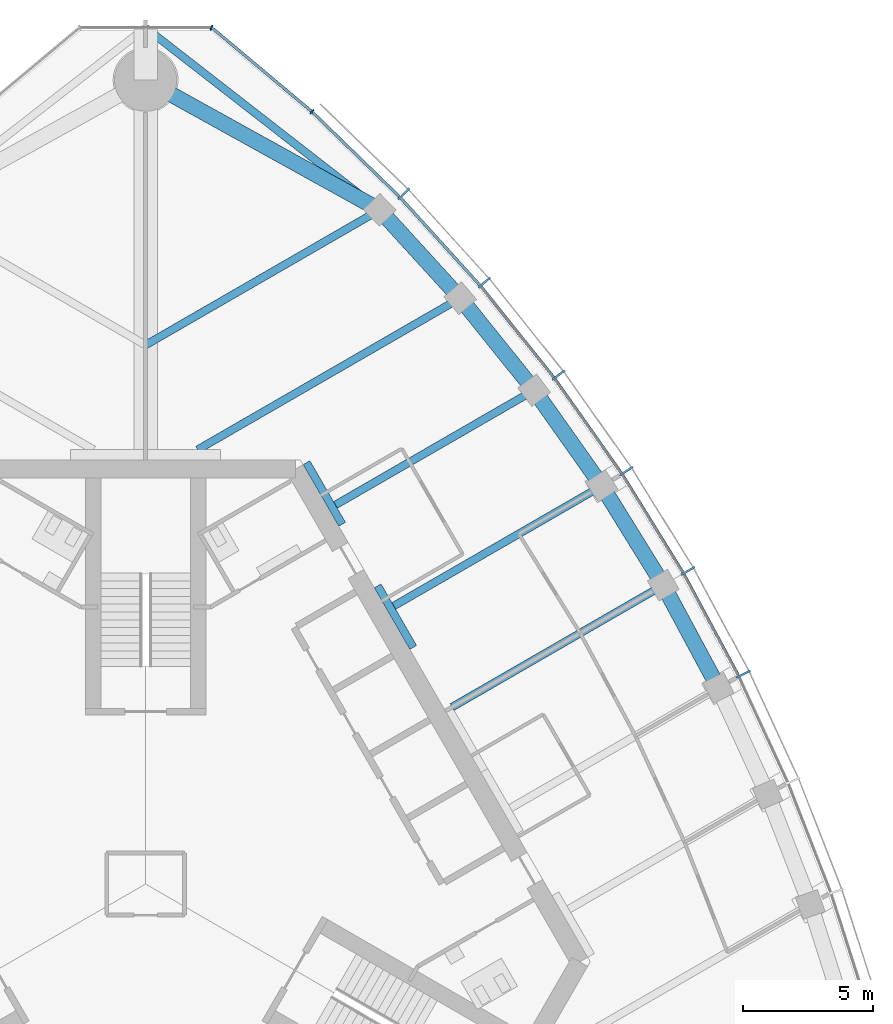
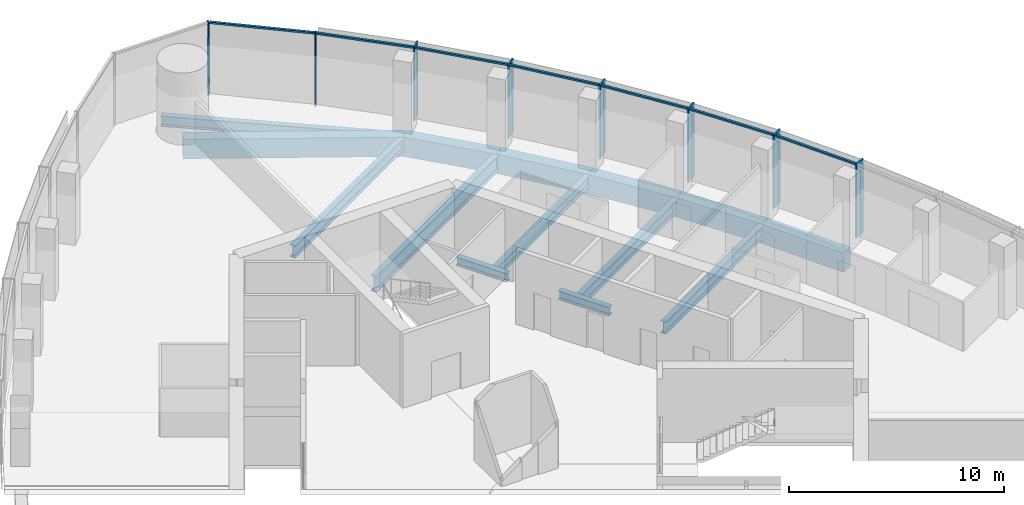
# One storey, part 6 of 16: 15 members, 14 beams, 2 elements without a shape of their own.
"""IFC4 building model written with IfcOpenShell, lengths in metres."""

from ifc_helpers import new_model, si_unit, direction, frame, origin, origin_2d, place, context, subcontext, project, spatial, rectangle, i_section, extrude, material, material_profile, profile_set, type_object, element, aggregate, save


model = new_model("IFC4")

# Units and contexts
model_context = context("Model", 3, precision=1e-05, world=origin(), true_north=direction((0.0, 1.0)))
body_context = subcontext(model_context, "Body", "Model", "MODEL_VIEW")
ifc_project = project(units=[si_unit("LENGTHUNIT", "METRE"), si_unit("AREAUNIT", "SQUARE_METRE"), si_unit("VOLUMEUNIT", "CUBIC_METRE"), si_unit("PLANEANGLEUNIT", "RADIAN"), si_unit("MASSUNIT", "GRAM", prefix="KILO")], contexts=[model_context])

# Site, building, storey
site_placement = place(None, origin())
site = spatial("IfcSite", under=ifc_project, at=site_placement, CompositionType="ELEMENT")
building_placement = place(site_placement, origin())
building = spatial("IfcBuilding", under=site, at=building_placement, Name="Trefoil Bronze Tower", CompositionType="ELEMENT")
storey_placement = place(building_placement, frame((0.0, 0.0, 297.300048828125)))
storey = spatial("IfcBuildingStorey", under=building, at=storey_placement, Name="L68", CompositionType="ELEMENT", Elevation=297.300048828125)

# Curtain wall, members
ifc_material_1 = material(Name="Tinted solar-control glass", Category="glass")
curtain_wall_type_1 = type_object("IfcCurtainWallType", Name="Bronze office curtain wall", PredefinedType="USERDEFINED", material=ifc_material_1)
curtain_wall_1_placement = place(storey_placement, origin())
curtain_wall_1 = element("IfcCurtainWall", 1, at=curtain_wall_1_placement, inside=storey, type_object=curtain_wall_type_1, Name="CW-A L68 F2", ObjectType="CURTAIN WALL", PredefinedType="USERDEFINED")
ifc_material_2 = material(Name="Bronze-finish aluminium", Category="aluminium")
ifc_material_profile_1 = material_profile(ifc_material_2, rectangle(XDim=0.60009765625, YDim=0.080078125, at=origin_2d()), Name="CW-A mullion")
ifc_profile_set_1 = profile_set([ifc_material_profile_1], Name="Bronze-finish aluminium")
member_type_1 = type_object("IfcMemberType", Name="Bronze office curtain wall mullion", PredefinedType="MULLION", material=ifc_profile_set_1)
member_1_placement = place(storey_placement, frame((23.056396484375, 8.094482421875, 0.0), z_axis=(0.0, 0.0, 1.0), x_axis=(-0.894713198289, -0.44664112306, 0.0)))
member_1 = element("IfcMember", 2, at=member_1_placement, type_object=member_type_1, Name="CW-A L68 F2 mullion 5", PredefinedType="MULLION", context=body_context, shape_type="SweptSolid", body=[
    extrude(rectangle(XDim=0.60009765625, YDim=0.080078125, at=origin_2d()), origin(), (0.0, 0.0, 1.0), 4.179931640625),
])
member_2_placement = place(storey_placement, frame((20.916015625, 12.07568359375, 0.0), z_axis=(0.0, 0.0, 1.0), x_axis=(-0.866025403784, -0.5, 0.0)))
member_2 = element("IfcMember", 3, at=member_2_placement, type_object=member_type_1, Name="CW-A L68 F2 mullion 6", PredefinedType="MULLION", context=body_context, shape_type="SweptSolid", body=[
    extrude(rectangle(XDim=0.60009765625, YDim=0.080078125, at=origin_2d()), origin(), (0.0, 0.0, 1.0), 4.179931640625),
])
member_3_placement = place(storey_placement, frame((18.538330078125, 15.920166015625, 0.0), z_axis=(0.0, 0.0, 1.0), x_axis=(-0.834159158089, -0.551523797289, 0.0)))
member_3 = element("IfcMember", 4, at=member_3_placement, type_object=member_type_1, Name="CW-A L68 F2 mullion 7", PredefinedType="MULLION", context=body_context, shape_type="SweptSolid", body=[
    extrude(rectangle(XDim=0.60009765625, YDim=0.080078125, at=origin_2d()), origin(), (0.0, 0.0, 1.0), 4.179931640625),
])
member_4_placement = place(storey_placement, frame((15.922607421875, 19.627197265625, 0.0), z_axis=(0.0, 0.0, 1.0), x_axis=(-0.799096076136, -0.601203344222, 0.0)))
member_4 = element("IfcMember", 5, at=member_4_placement, type_object=member_type_1, Name="CW-A L68 F2 mullion 8", PredefinedType="MULLION", context=body_context, shape_type="SweptSolid", body=[
    extrude(rectangle(XDim=0.60009765625, YDim=0.080078125, at=origin_2d()), origin(), (0.0, 0.0, 1.0), 4.179931640625),
])
member_5_placement = place(storey_placement, frame((13.064453125, 23.194091796875, 0.0), z_axis=(0.0, 0.0, 1.0), x_axis=(-0.760781190165, -0.649008459646, 0.0)))
member_5 = element("IfcMember", 6, at=member_5_placement, type_object=member_type_1, Name="CW-A L68 F2 mullion 9", PredefinedType="MULLION", context=body_context, shape_type="SweptSolid", body=[
    extrude(rectangle(XDim=0.60009765625, YDim=0.080078125, at=origin_2d()), origin(), (0.0, 0.0, 1.0), 4.179931640625),
])
member_6_placement = place(storey_placement, frame((9.957275390625, 26.617431640625, 0.0), z_axis=(0.0, 0.0, 1.0), x_axis=(-0.719001349715, -0.695008675564, 0.0)))
member_6 = element("IfcMember", 7, at=member_6_placement, type_object=member_type_1, Name="CW-A L68 F2 mullion 10", PredefinedType="MULLION", context=body_context, shape_type="SweptSolid", body=[
    extrude(rectangle(XDim=0.60009765625, YDim=0.080078125, at=origin_2d()), origin(), (0.0, 0.0, 1.0), 4.179931640625),
])
ifc_material_3 = material(Name="Bronze-finish aluminium", Category="aluminium")
ifc_material_profile_2 = material_profile(ifc_material_3, rectangle(XDim=0.1201171875, YDim=0.10009765625, at=origin_2d()), Name="CW-A transom")
ifc_profile_set_2 = profile_set([ifc_material_profile_2], Name="Bronze-finish aluminium")
member_type_2 = type_object("IfcMemberType", Name="Bronze office curtain wall transom", PredefinedType="USERDEFINED", material=ifc_profile_set_2)
member_7_placement = place(storey_placement, frame((22.857177734375, 8.043212890625, 4.1298828125), z_axis=(-0.473540024981, 0.880772300167, 0.0), x_axis=(-0.880772300167, -0.473540024981, 0.0)))
member_7 = element("IfcMember", 8, at=member_7_placement, type_object=member_type_2, Name="CW-A L68 F2 transom 5", ObjectType="TRANSOM", PredefinedType="USERDEFINED", context=body_context, shape_type="SweptSolid", body=[
    extrude(rectangle(XDim=0.1201171875, YDim=0.10009765625, at=origin_2d()), origin(), (0.0, 0.0, 1.0), 4.422119140625),
])
member_8_placement = place(storey_placement, frame((20.72021484375, 12.012451171875, 4.1298828125), z_axis=(-0.525978235299, 0.850498028212, 0.0), x_axis=(-0.850498028212, -0.525978235299, 0.0)))
member_8 = element("IfcMember", 9, at=member_8_placement, type_object=member_type_2, Name="CW-A L68 F2 transom 6", ObjectType="TRANSOM", PredefinedType="USERDEFINED", context=body_context, shape_type="SweptSolid", body=[
    extrude(rectangle(XDim=0.1201171875, YDim=0.10009765625, at=origin_2d()), origin(), (0.0, 0.0, 1.0), 4.422119140625),
])
member_9_placement = place(storey_placement, frame((18.3466796875, 15.84521484375, 4.1298828125), z_axis=(-0.5765665752, 0.817050172488, 0.0), x_axis=(-0.817050172488, -0.5765665752, 0.0)))
member_9 = element("IfcMember", 10, at=member_9_placement, type_object=member_type_2, Name="CW-A L68 F2 transom 7", ObjectType="TRANSOM", PredefinedType="USERDEFINED", context=body_context, shape_type="SweptSolid", body=[
    extrude(rectangle(XDim=0.1201171875, YDim=0.10009765625, at=origin_2d()), origin(), (0.0, 0.0, 1.0), 4.4384765625),
])
member_10_placement = place(storey_placement, frame((15.73583984375, 19.54052734375, 4.1298828125), z_axis=(-0.625300648488, 0.780383943325, 0.0), x_axis=(-0.780383943325, -0.625300648488, 0.0)))
member_10 = element("IfcMember", 11, at=member_10_placement, type_object=member_type_2, Name="CW-A L68 F2 transom 8", ObjectType="TRANSOM", PredefinedType="USERDEFINED", context=body_context, shape_type="SweptSolid", body=[
    extrude(rectangle(XDim=0.1201171875, YDim=0.10009765625, at=origin_2d()), origin(), (0.0, 0.0, 1.0), 4.472412109375),
])
member_11_placement = place(storey_placement, frame((12.88330078125, 23.09619140625, 4.1298828125), z_axis=(-0.672068269674, 0.740489190264, 0.0), x_axis=(-0.740489190264, -0.672068269674, 0.0)))
member_11 = element("IfcMember", 12, at=member_11_placement, type_object=member_type_2, Name="CW-A L68 F2 transom 9", ObjectType="TRANSOM", PredefinedType="USERDEFINED", context=body_context, shape_type="SweptSolid", body=[
    extrude(rectangle(XDim=0.1201171875, YDim=0.10009765625, at=origin_2d()), origin(), (0.0, 0.0, 1.0), 4.5244140625),
])
member_12_placement = place(storey_placement, frame((9.782470703125, 26.508544921875, 4.1298828125), z_axis=(-0.717224617883, 0.696842053484, 0.0), x_axis=(-0.696842053484, -0.717224617883, 0.0)))
member_12 = element("IfcMember", 13, at=member_12_placement, type_object=member_type_2, Name="CW-A L68 F2 transom 10", ObjectType="TRANSOM", PredefinedType="USERDEFINED", context=body_context, shape_type="SweptSolid", body=[
    extrude(rectangle(XDim=0.1201171875, YDim=0.10009765625, at=origin_2d()), origin(), (0.0, 0.0, 1.0), 4.6474609375),
])
aggregate(curtain_wall_1, [member_1, member_2, member_3, member_4, member_5, member_6, member_7, member_8, member_9, member_10, member_11, member_12])

ifc_material_4 = material(Name="Tinted solar-control glass", Category="glass")
curtain_wall_type_2 = type_object("IfcCurtainWallType", Name="Bronze rounded corner curtain wall", PredefinedType="USERDEFINED", material=ifc_material_4)
curtain_wall_2_placement = place(storey_placement, origin())
curtain_wall_2 = element("IfcCurtainWall", 14, at=curtain_wall_2_placement, inside=storey, type_object=curtain_wall_type_2, Name="CW-B L68 K2", ObjectType="CURTAIN WALL", PredefinedType="USERDEFINED")
ifc_material_5 = material(Name="Bronze-finish aluminium", Category="aluminium")
ifc_material_profile_3 = material_profile(ifc_material_5, rectangle(XDim=0.199951171875, YDim=0.06005859375, at=origin_2d()), Name="CW-B mullion")
ifc_profile_set_3 = profile_set([ifc_material_profile_3], Name="Bronze-finish aluminium")
member_type_3 = type_object("IfcMemberType", Name="Bronze rounded corner curtain wall mullion", PredefinedType="MULLION", material=ifc_profile_set_3)
member_13_placement = place(storey_placement, frame((6.4150390625, 29.77978515625, 0.0), z_axis=(0.0, 0.0, 1.0), x_axis=(-0.642787609687, -0.766044443119, 0.0)))
member_13 = element("IfcMember", 15, at=member_13_placement, type_object=member_type_3, Name="CW-B L68 K2 mullion 1", PredefinedType="MULLION", context=body_context, shape_type="SweptSolid", body=[
    extrude(rectangle(XDim=0.199951171875, YDim=0.06005859375, at=origin_2d()), origin(), (0.0, 0.0, 1.0), 4.179931640625),
])
member_14_placement = place(storey_placement, frame((2.542236328125, 33.021484375, 0.0), z_axis=(0.0, 0.0, 1.0), x_axis=(-0.342020143326, -0.939692620786, 0.0)))
member_14 = element("IfcMember", 16, at=member_14_placement, type_object=member_type_3, Name="CW-B L68 K2 mullion 2", PredefinedType="MULLION", context=body_context, shape_type="SweptSolid", body=[
    extrude(rectangle(XDim=0.199951171875, YDim=0.06005859375, at=origin_2d()), origin(), (0.0, 0.0, 1.0), 4.179931640625),
])
ifc_material_6 = material(Name="Bronze-finish aluminium", Category="aluminium")
ifc_material_profile_4 = material_profile(ifc_material_6, rectangle(XDim=0.1201171875, YDim=0.10009765625, at=origin_2d()), Name="CW-B transom")
ifc_profile_set_4 = profile_set([ifc_material_profile_4], Name="Bronze-finish aluminium")
member_type_4 = type_object("IfcMemberType", Name="Bronze rounded corner curtain wall transom", PredefinedType="USERDEFINED", material=ifc_profile_set_4)
member_15_placement = place(storey_placement, frame((6.39208984375, 29.799072265625, 4.1298828125), z_axis=(-0.766040522511, 0.642792282056, 0.0), x_axis=(-0.642792282056, -0.766040522511, 0.0)))
member_15 = element("IfcMember", 17, at=member_15_placement, type_object=member_type_4, Name="CW-B L68 K2 transom 1", ObjectType="TRANSOM", PredefinedType="USERDEFINED", context=body_context, shape_type="SweptSolid", body=[
    extrude(rectangle(XDim=0.1201171875, YDim=0.10009765625, at=origin_2d()), origin(), (0.0, 0.0, 1.0), 4.9560546875),
])
aggregate(curtain_wall_2, [member_13, member_14, member_15])

# Beams
ifc_material_7 = material(Name="Steel C355", Category="steel")
ifc_material_profile_5 = material_profile(ifc_material_7, i_section(OverallWidth=0.300048828125, OverallDepth=0.5, WebThickness=0.014404296875, FlangeThickness=0.028076171875, FilletRadius=0.027099609375, at=origin_2d()), Name="HEB 500")
ifc_profile_set_5 = profile_set([ifc_material_profile_5], Name="Steel C355")
beam_type_1 = type_object("IfcBeamType", Name="Core seat beam HEB 500", PredefinedType="BEAM", material=ifc_profile_set_5)
for number, where, z_axis, x_axis, name in (
    (18, (10.320068359375, 9.125, -0.449951171875), (-0.499969057507, 0.866043267704, 0.0), (-0.866043267704, -0.499969057507, 0.0), "Core seat beam F2/+1 L68"),
    (19, (7.57763671875, 13.875, -0.449951171875), (-0.499969057507, 0.866043267704, 0.0), (-0.866043267704, -0.499969057507, 0.0), "Core seat beam F2/+2 L68"),
):
    element("IfcBeam", number, at=place(storey_placement, frame(where, z_axis=z_axis, x_axis=x_axis)), inside=storey, type_object=beam_type_1, Name=name, PredefinedType="BEAM", context=body_context, shape_type="SweptSolid", body=[
        extrude(i_section(OverallWidth=0.300048828125, OverallDepth=0.5, WebThickness=0.014404296875, FlangeThickness=0.028076171875, FilletRadius=0.027099609375, at=origin_2d()), origin(), (0.0, 0.0, 1.0), 2.742431640625),
    ])
ifc_material_8 = material(Name="Steel C355", Category="steel")
ifc_material_profile_6 = material_profile(ifc_material_8, i_section(OverallWidth=0.300048828125, OverallDepth=0.60009765625, WebThickness=0.015380859375, FlangeThickness=0.030029296875, FilletRadius=0.027099609375, at=origin_2d()), Name="HEB 600")
ifc_profile_set_6 = profile_set([ifc_material_profile_6], Name="Steel C355")
beam_type_2 = type_object("IfcBeamType", Name="Corner edge beam HEB 600", PredefinedType="BEAM", material=ifc_profile_set_6)
beam_1_placement = place(storey_placement, frame((9.02734375, 25.99658203125, -0.5), z_axis=(-0.789270604977, 0.614045529354, 0.0), x_axis=(-0.614045529354, -0.789270604977, 0.0)))
element("IfcBeam", 20, at=beam_1_placement, inside=storey, type_object=beam_type_2, Name="Corner edge beam F2A L68", PredefinedType="BEAM", context=body_context, shape_type="SweptSolid", body=[
    extrude(i_section(OverallWidth=0.300048828125, OverallDepth=0.60009765625, WebThickness=0.015380859375, FlangeThickness=0.030029296875, FilletRadius=0.027099609375, at=origin_2d()), origin(), (0.0, 0.0, 1.0), 11.4375),
])
ifc_material_9 = material(Name="Concrete B80", Category="concrete")
ifc_material_profile_7 = material_profile(ifc_material_9, rectangle(XDim=0.60009765625, YDim=1.10009765625, at=origin_2d()), Name="RC 600x1100")
ifc_profile_set_7 = profile_set([ifc_material_profile_7], Name="Concrete B80")
beam_type_3 = type_object("IfcBeamType", Name="End spandrel beam RC 600x1100", PredefinedType="SPANDREL", material=ifc_profile_set_7)
beam_2_placement = place(storey_placement, frame((9.02734375, 25.99658203125, -0.75), z_axis=(-0.874641085074, 0.484771051426, 0.0), x_axis=(-0.484771051426, -0.874641085074, 0.0)))
element("IfcBeam", 21, at=beam_2_placement, inside=storey, type_object=beam_type_3, Name="Spandrel F2.10 L68", PredefinedType="SPANDREL", context=body_context, shape_type="SweptSolid", body=[
    extrude(rectangle(XDim=0.60009765625, YDim=1.10009765625, at=origin_2d()), origin(), (0.0, 0.0, 1.0), 10.3212890625),
])
ifc_material_10 = material(Name="Steel C355", Category="steel")
ifc_material_profile_8 = material_profile(ifc_material_10, i_section(OverallWidth=0.300048828125, OverallDepth=0.60009765625, WebThickness=0.015380859375, FlangeThickness=0.030029296875, FilletRadius=0.027099609375, at=origin_2d()), Name="HEB 600")
ifc_profile_set_8 = profile_set([ifc_material_profile_8], Name="Steel C355")
beam_type_4 = type_object("IfcBeamType", Name="Floor beam HEB 600", PredefinedType="BEAM", material=ifc_profile_set_8)
beam_3_placement = place(storey_placement, frame((14.98486328125, 19.043701171875, -0.5), z_axis=(-0.866025701847, -0.499999483739, 0.0), x_axis=(0.499999483739, -0.866025701847, 0.0)))
element("IfcBeam", 22, at=beam_3_placement, inside=storey, type_object=beam_type_4, Name="Floor beam F2/+2 L68", PredefinedType="BEAM", context=body_context, shape_type="SweptSolid", body=[
    extrude(i_section(OverallWidth=0.300048828125, OverallDepth=0.60009765625, WebThickness=0.015380859375, FlangeThickness=0.030029296875, FilletRadius=0.027099609375, at=origin_2d()), origin(), (0.0, 0.0, 1.0), 8.84912109375),
])
ifc_material_11 = material(Name="Steel C355", Category="steel")
ifc_material_profile_9 = material_profile(ifc_material_11, i_section(OverallWidth=0.300048828125, OverallDepth=0.699951171875, WebThickness=0.01708984375, FlangeThickness=0.031982421875, FilletRadius=0.027099609375, at=origin_2d()), Name="HEB 700")
ifc_profile_set_9 = profile_set([ifc_material_profile_9], Name="Steel C355")
beam_type_5 = type_object("IfcBeamType", Name="Floor beam HEB 700", PredefinedType="BEAM", material=ifc_profile_set_9)
beam_4_placement = place(storey_placement, frame((19.96337890625, 11.52587890625, -0.550048828125), z_axis=(-0.866021259968, -0.500007177232, 0.0), x_axis=(0.500007177232, -0.866021259968, 0.0)))
element("IfcBeam", 23, at=beam_4_placement, inside=storey, type_object=beam_type_5, Name="Floor beam F2/+0 L68", PredefinedType="BEAM", context=body_context, shape_type="SweptSolid", body=[
    extrude(i_section(OverallWidth=0.300048828125, OverallDepth=0.699951171875, WebThickness=0.01708984375, FlangeThickness=0.031982421875, FilletRadius=0.027099609375, at=origin_2d()), origin(), (0.0, 0.0, 1.0), 9.401611328125),
])
beam_5_placement = place(storey_placement, frame((17.593994140625, 15.35400390625, -0.550048828125), z_axis=(-0.866028909405, -0.499993928037, 0.0), x_axis=(0.499993928037, -0.866028909405, 0.0)))
element("IfcBeam", 24, at=beam_5_placement, inside=storey, type_object=beam_type_5, Name="Floor beam F2/+1 L68", PredefinedType="BEAM", context=body_context, shape_type="SweptSolid", body=[
    extrude(i_section(OverallWidth=0.300048828125, OverallDepth=0.699951171875, WebThickness=0.01708984375, FlangeThickness=0.031982421875, FilletRadius=0.027099609375, at=origin_2d()), origin(), (0.0, 0.0, 1.0), 9.263671875),
])
beam_6_placement = place(storey_placement, frame((9.02734375, 25.99658203125, -0.550048828125), z_axis=(-0.866026453994, -0.499998180979, 0.0), x_axis=(0.499998180979, -0.866026453994, 0.0)))
element("IfcBeam", 25, at=beam_6_placement, inside=storey, type_object=beam_type_5, Name="Floor beam F2/+4 L68", PredefinedType="BEAM", context=body_context, shape_type="SweptSolid", body=[
    extrude(i_section(OverallWidth=0.300048828125, OverallDepth=0.699951171875, WebThickness=0.01708984375, FlangeThickness=0.031982421875, FilletRadius=0.027099609375, at=origin_2d()), origin(), (0.0, 0.0, 1.0), 10.423828125),
])
ifc_material_12 = material(Name="Steel C355", Category="steel")
ifc_material_profile_10 = material_profile(ifc_material_12, i_section(OverallWidth=0.300048828125, OverallDepth=0.89990234375, WebThickness=0.0185546875, FlangeThickness=0.034912109375, FilletRadius=0.030029296875, at=origin_2d()), Name="HEB 900")
ifc_profile_set_10 = profile_set([ifc_material_profile_10], Name="Steel C355")
beam_type_6 = type_object("IfcBeamType", Name="Floor beam HEB 900", PredefinedType="BEAM", material=ifc_profile_set_10)
beam_7_placement = place(storey_placement, frame((12.131591796875, 22.5927734375, -0.650146484375), z_axis=(-0.866017882563, -0.500013026912, 0.0), x_axis=(0.500013026912, -0.866017882563, 0.0)))
element("IfcBeam", 26, at=beam_7_placement, inside=storey, type_object=beam_type_6, Name="Floor beam F2/+3 L68", PredefinedType="BEAM", context=body_context, shape_type="SweptSolid", body=[
    extrude(i_section(OverallWidth=0.300048828125, OverallDepth=0.89990234375, WebThickness=0.0185546875, FlangeThickness=0.034912109375, FilletRadius=0.030029296875, at=origin_2d()), origin(), (0.0, 0.0, 1.0), 11.685302734375),
])
ifc_material_13 = material(Name="Concrete B80", Category="concrete")
ifc_material_profile_11 = material_profile(ifc_material_13, rectangle(XDim=0.60009765625, YDim=1.10009765625, at=origin_2d()), Name="RC 600x1100")
ifc_profile_set_11 = profile_set([ifc_material_profile_11], Name="Concrete B80")
beam_type_7 = type_object("IfcBeamType", Name="Spandrel beam RC 600x1100", PredefinedType="SPANDREL", material=ifc_profile_set_11)
beam_8_placement = place(storey_placement, frame((22.093994140625, 7.559814453125, -0.75), z_axis=(-0.473245885676, 0.880930378458, 0.0), x_axis=(-0.880930378458, -0.473245885676, 0.0)))
element("IfcBeam", 27, at=beam_8_placement, inside=storey, type_object=beam_type_7, Name="Spandrel F2.5 L68", PredefinedType="SPANDREL", context=body_context, shape_type="SweptSolid", body=[
    extrude(rectangle(XDim=0.60009765625, YDim=1.10009765625, at=origin_2d()), origin(), (0.0, 0.0, 1.0), 4.502197265625),
])
beam_9_placement = place(storey_placement, frame((19.96337890625, 11.52587890625, -0.75), z_axis=(-0.526289271956, 0.850305593433, 0.0), x_axis=(-0.850305593433, -0.526289271956, 0.0)))
element("IfcBeam", 28, at=beam_9_placement, inside=storey, type_object=beam_type_7, Name="Spandrel F2.6 L68", PredefinedType="SPANDREL", context=body_context, shape_type="SweptSolid", body=[
    extrude(rectangle(XDim=0.60009765625, YDim=1.10009765625, at=origin_2d()), origin(), (0.0, 0.0, 1.0), 4.501953125),
])
beam_10_placement = place(storey_placement, frame((17.593994140625, 15.35400390625, -0.75), z_axis=(-0.577368105169, 0.816483968693, 0.0), x_axis=(-0.816483968693, -0.577368105169, 0.0)))
element("IfcBeam", 29, at=beam_10_placement, inside=storey, type_object=beam_type_7, Name="Spandrel F2.7 L68", PredefinedType="SPANDREL", context=body_context, shape_type="SweptSolid", body=[
    extrude(rectangle(XDim=0.60009765625, YDim=1.10009765625, at=origin_2d()), origin(), (0.0, 0.0, 1.0), 4.51904296875),
])
beam_11_placement = place(storey_placement, frame((14.98486328125, 19.043701171875, -0.75), z_axis=(-0.626569682592, 0.779365403939, 0.0), x_axis=(-0.779365403939, -0.626569682592, 0.0)))
element("IfcBeam", 30, at=beam_11_placement, inside=storey, type_object=beam_type_7, Name="Spandrel F2.8 L68", PredefinedType="SPANDREL", context=body_context, shape_type="SweptSolid", body=[
    extrude(rectangle(XDim=0.60009765625, YDim=1.10009765625, at=origin_2d()), origin(), (0.0, 0.0, 1.0), 4.5537109375),
])
beam_12_placement = place(storey_placement, frame((12.131591796875, 22.5927734375, -0.75), z_axis=(-0.673845775847, 0.738872025707, 0.0), x_axis=(-0.738872025707, -0.673845775847, 0.0)))
element("IfcBeam", 31, at=beam_12_placement, inside=storey, type_object=beam_type_7, Name="Spandrel F2.9 L68", PredefinedType="SPANDREL", context=body_context, shape_type="SweptSolid", body=[
    extrude(rectangle(XDim=0.60009765625, YDim=1.10009765625, at=origin_2d()), origin(), (0.0, 0.0, 1.0), 4.606689453125),
])

save(model, "model.ifc")
